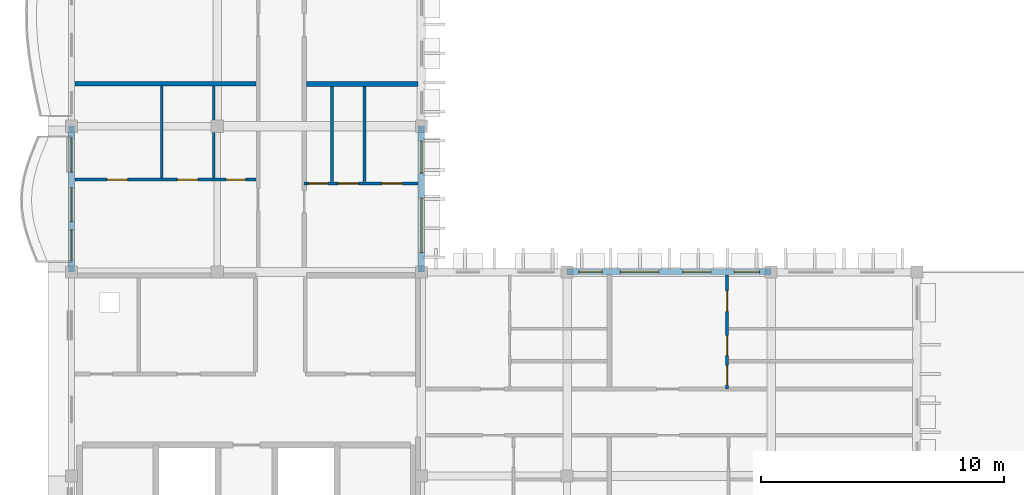
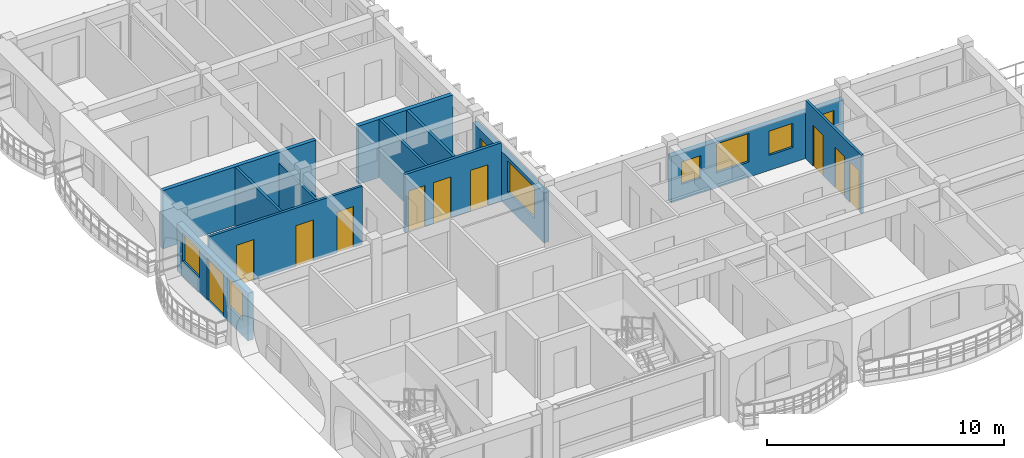
# One storey, part 14 of 59: 12 walls, 10 doors, 8 windows, 18 openings.
"""IFC4 building model written with IfcOpenShell, lengths in metres."""

from ifc_helpers import new_model, si_unit, direction, frame, frame_2d, origin, place, context, subcontext, project, spatial, rectangle, extrude, material, layer, layer_set, type_object, element, fill, save


model = new_model("IFC4")

# Units and contexts
model_context = context("Model", 3, precision=1e-05, world=origin(), true_north=direction((0.0, 1.0)))
body_context = subcontext(model_context, "Body", "Model", "MODEL_VIEW")
ifc_project = project(units=[si_unit("LENGTHUNIT", "METRE"), si_unit("AREAUNIT", "SQUARE_METRE"), si_unit("VOLUMEUNIT", "CUBIC_METRE"), si_unit("PLANEANGLEUNIT", "RADIAN"), si_unit("MASSUNIT", "GRAM", prefix="KILO"), si_unit("THERMODYNAMICTEMPERATUREUNIT", "KELVIN")], contexts=[model_context])

# Site, building, storey
site_placement = place(None, origin())
site = spatial("IfcSite", under=ifc_project, at=site_placement, CompositionType="ELEMENT")
building_placement = place(site_placement, origin())
building = spatial("IfcBuilding", under=site, at=building_placement, Name="Thalorik Housing Commons", CompositionType="ELEMENT")
storey_placement = place(building_placement, frame((0.0, 0.0, 27.89990234375)))
storey = spatial("IfcBuildingStorey", under=building, at=storey_placement, Name="L08", CompositionType="ELEMENT", Elevation=27.89990234375)

# Wall, openings, windows
ifc_material_1 = material(Name="White precast concrete C40/50", Category="concrete")
ifc_layer_1 = layer(ifc_material_1, 0.264892578125, Name="White precast concrete C40/50", Category="concrete")
ifc_layer_set_1 = layer_set([ifc_layer_1], Name="White precast concrete C40/50")
wall_type_1 = type_object("IfcWallType", Name="ARC-WAL-EXT-265", PredefinedType="STANDARD", material=ifc_layer_set_1)
wall_1_placement = place(storey_placement, frame((22.800048828125, 22.800048828125, 0.0), z_axis=(0.0, 0.0, 1.0), x_axis=(0.0, 1.0, 0.0)))
wall_1 = element("IfcWall", 1, at=wall_1_placement, inside=storey, type_object=wall_type_1, Name="L08 Exterior Wall WAL-EXT-L08-C-1045", PredefinedType="STANDARD", context=body_context, shape_type="SweptSolid", body=[
    extrude(rectangle(XDim=6.0, YDim=0.264892578125, at=frame_2d((3.0, 0.0))), origin(), (0.0, 0.0, 1.0), 2.5751953125),
])
opening_1_placement = place(wall_1_placement, frame((0.791259765625, 0.0, 0.780029296875)))
opening_1 = element("IfcOpeningElement", 2, at=opening_1_placement, cuts=wall_1, Name="Opening W-31", PredefinedType="OPENING", context=body_context, shape_type="SweptSolid", body=[
    extrude(rectangle(XDim=2.25, YDim=1.60009765625, at=frame_2d((1.125, 0.800048828125))), frame((0.0, 0.142578125, 0.0), z_axis=(0.0, -1.0, 0.0), x_axis=(1.0, 0.0, 0.0)), (0.0, 0.0, 1.0), 0.284912109375),
])
opening_2_placement = place(wall_1_placement, frame((4.066162109375, 0.0, 0.780029296875)))
opening_2 = element("IfcOpeningElement", 3, at=opening_2_placement, cuts=wall_1, Name="Opening W-48", PredefinedType="OPENING", context=body_context, shape_type="SweptSolid", body=[
    extrude(rectangle(XDim=1.320068359375, YDim=1.35009765625, at=frame_2d((0.66015625, 0.675048828125))), frame((0.0, 0.142578125, 0.0), z_axis=(0.0, -1.0, 0.0), x_axis=(1.0, 0.0, 0.0)), (0.0, 0.0, 1.0), 0.284912109375),
])
ifc_material_2 = material(Name="Anodised aluminium and solar-control low-E glass", Category="aluminium")
window_type_1 = type_object("IfcWindowType", Name="ARC-WIN-31", PartitioningType="DOUBLE_PANEL_VERTICAL", PredefinedType="WINDOW", material=ifc_material_2)
window_1_placement = place(opening_1_placement, origin())
window_1 = element("IfcWindow", 4, at=window_1_placement, inside=storey, type_object=window_type_1, Name="L08 Facade Window 1928", OverallHeight=1.60009765625, OverallWidth=2.25, PartitioningType="DOUBLE_PANEL_VERTICAL", PredefinedType="WINDOW", context=body_context, shape_type="SweptSolid", body=[
    extrude(rectangle(XDim=2.25, YDim=1.60009765625, at=frame_2d((1.125, 0.800048828125))), frame((0.0, 0.030029296875, 0.0), z_axis=(0.0, -1.0, 0.0), x_axis=(1.0, 0.0, 0.0)), (0.0, 0.0, 1.0), 0.06005859375),
])
fill(opening_1, window_1)
window_type_2 = type_object("IfcWindowType", Name="ARC-WIN-48", PartitioningType="SINGLE_PANEL", PredefinedType="WINDOW", material=ifc_material_2)
window_2_placement = place(opening_2_placement, origin())
window_2 = element("IfcWindow", 5, at=window_2_placement, inside=storey, type_object=window_type_2, Name="L08 Facade Window 1929", OverallHeight=1.35009765625, OverallWidth=1.320068359375, PartitioningType="SINGLE_PANEL", PredefinedType="WINDOW", context=body_context, shape_type="SweptSolid", body=[
    extrude(rectangle(XDim=1.320068359375, YDim=1.35009765625, at=frame_2d((0.66015625, 0.675048828125))), frame((0.0, 0.030029296875, 0.0), z_axis=(0.0, -1.0, 0.0), x_axis=(1.0, 0.0, 0.0)), (0.0, 0.0, 1.0), 0.06005859375),
])
fill(opening_2, window_2)

# Wall, openings, door, windows
wall_2_placement = place(storey_placement, frame((8.39990234375, 28.800048828125, 0.0), z_axis=(0.0, 0.0, 1.0), x_axis=(0.0, -1.0, 0.0)))
wall_2 = element("IfcWall", 6, at=wall_2_placement, inside=storey, type_object=wall_type_1, Name="L08 Exterior Wall WAL-EXT-L08-C-1052", PredefinedType="STANDARD", context=body_context, shape_type="SweptSolid", body=[
    extrude(rectangle(XDim=6.0, YDim=0.264892578125, at=frame_2d((3.0, 0.0))), origin(), (0.0, 0.0, 1.0), 2.445068359375),
])
opening_3_placement = place(wall_2_placement, frame((2.530029296875, 0.0, 0.0)))
opening_3 = element("IfcOpeningElement", 7, at=opening_3_placement, cuts=wall_2, Name="Opening ED-0352", PredefinedType="OPENING", context=body_context, shape_type="SweptSolid", body=[
    extrude(rectangle(XDim=1.39990234375, YDim=2.199951171875, at=frame_2d((0.699951171875, 1.10009765625))), frame((0.0, 0.142578125, 0.0), z_axis=(0.0, -1.0, 0.0), x_axis=(1.0, 0.0, 0.0)), (0.0, 0.0, 1.0), 0.284912109375),
])
opening_4_placement = place(wall_2_placement, frame((0.4951171875, 0.0, 0.780029296875)))
opening_4 = element("IfcOpeningElement", 8, at=opening_4_placement, cuts=wall_2, Name="Opening W-08", PredefinedType="OPENING", context=body_context, shape_type="SweptSolid", body=[
    extrude(rectangle(XDim=1.39990234375, YDim=1.449951171875, at=frame_2d((0.699951171875, 0.72509765625))), frame((0.0, 0.142578125, 0.0), z_axis=(0.0, -1.0, 0.0), x_axis=(1.0, 0.0, 0.0)), (0.0, 0.0, 1.0), 0.284912109375),
])
opening_5_placement = place(wall_2_placement, frame((4.27001953125, 0.0, 0.780029296875)))
opening_5 = element("IfcOpeningElement", 9, at=opening_5_placement, cuts=wall_2, Name="Opening W-47", PredefinedType="OPENING", context=body_context, shape_type="SweptSolid", body=[
    extrude(rectangle(XDim=1.25, YDim=1.449951171875, at=frame_2d((0.625, 0.72509765625))), frame((0.0, 0.142578125, 0.0), z_axis=(0.0, -1.0, 0.0), x_axis=(1.0, 0.0, 0.0)), (0.0, 0.0, 1.0), 0.284912109375),
])
ifc_material_3 = material(Name="Anodised aluminium and laminated safety glass", Category="aluminium")
door_type_1 = type_object("IfcDoorType", Name="ARC-DR-BAL-1400", OperationType="NOTDEFINED", PredefinedType="DOOR", material=ifc_material_3)
door_1_placement = place(opening_3_placement, frame((1.39990234375, 0.0, 0.0), z_axis=(0.0, 0.0, 1.0), x_axis=(-1.0, 0.0, 0.0)))
door_1 = element("IfcDoor", 10, at=door_1_placement, inside=storey, type_object=door_type_1, Name="L08 Block C Balcony Glazed Door", OperationType="SLIDING_TO_LEFT", OverallHeight=2.199951171875, OverallWidth=1.39990234375, PredefinedType="DOOR", context=body_context, shape_type="SweptSolid", body=[
    extrude(rectangle(XDim=1.39990234375, YDim=2.199951171875, at=frame_2d((0.699951171875, 1.10009765625))), frame((0.0, 0.02490234375, 0.0), z_axis=(0.0, -1.0, 0.0), x_axis=(1.0, 0.0, 0.0)), (0.0, 0.0, 1.0), 0.050048828125),
])
fill(opening_3, door_1)
window_type_3 = type_object("IfcWindowType", Name="ARC-WIN-08", PartitioningType="SINGLE_PANEL", PredefinedType="WINDOW", material=ifc_material_2)
window_3_placement = place(opening_4_placement, origin())
window_3 = element("IfcWindow", 11, at=window_3_placement, inside=storey, type_object=window_type_3, Name="L08 Facade Window 1944", OverallHeight=1.449951171875, OverallWidth=1.39990234375, PartitioningType="SINGLE_PANEL", PredefinedType="WINDOW", context=body_context, shape_type="SweptSolid", body=[
    extrude(rectangle(XDim=1.39990234375, YDim=1.449951171875, at=frame_2d((0.699951171875, 0.72509765625))), frame((0.0, 0.030029296875, 0.0), z_axis=(0.0, -1.0, 0.0), x_axis=(1.0, 0.0, 0.0)), (0.0, 0.0, 1.0), 0.06005859375),
])
fill(opening_4, window_3)
window_type_4 = type_object("IfcWindowType", Name="ARC-WIN-47", PartitioningType="SINGLE_PANEL", PredefinedType="WINDOW", material=ifc_material_2)
window_4_placement = place(opening_5_placement, origin())
window_4 = element("IfcWindow", 12, at=window_4_placement, inside=storey, type_object=window_type_4, Name="L08 Facade Window 1945", OverallHeight=1.449951171875, OverallWidth=1.25, PartitioningType="SINGLE_PANEL", PredefinedType="WINDOW", context=body_context, shape_type="SweptSolid", body=[
    extrude(rectangle(XDim=1.25, YDim=1.449951171875, at=frame_2d((0.625, 0.72509765625))), frame((0.0, 0.030029296875, 0.0), z_axis=(0.0, -1.0, 0.0), x_axis=(1.0, 0.0, 0.0)), (0.0, 0.0, 1.0), 0.06005859375),
])
fill(opening_5, window_4)

# Wall, openings, windows
wall_3_placement = place(storey_placement, frame((37.199951171875, 22.800048828125, 0.0), z_axis=(0.0, 0.0, 1.0), x_axis=(-1.0, 0.0, 0.0)))
wall_3 = element("IfcWall", 13, at=wall_3_placement, inside=storey, type_object=wall_type_1, Name="L08 Exterior Wall WAL-EXT-L08-C-1063", PredefinedType="STANDARD", context=body_context, shape_type="SweptSolid", body=[
    extrude(rectangle(XDim=8.39990234375, YDim=0.264892578125, at=frame_2d((4.199951171875, 0.0))), origin(), (0.0, 0.0, 1.0), 2.375),
])
opening_6_placement = place(wall_3_placement, frame((0.47607421875, 0.0, 0.780029296875)))
opening_6 = element("IfcOpeningElement", 14, at=opening_6_placement, cuts=wall_3, Name="Opening W-44", PredefinedType="OPENING", context=body_context, shape_type="SweptSolid", body=[
    extrude(rectangle(XDim=1.050048828125, YDim=1.199951171875, at=frame_2d((0.52490234375, 0.60009765625))), frame((0.0, 0.142578125, 0.0), z_axis=(0.0, -1.0, 0.0), x_axis=(1.0, 0.0, 0.0)), (0.0, 0.0, 1.0), 0.284912109375),
])
opening_7_placement = place(wall_3_placement, frame((2.48388671875, 0.0, 0.780029296875)))
opening_7 = element("IfcOpeningElement", 15, at=opening_7_placement, cuts=wall_3, Name="Opening W-45", PredefinedType="OPENING", context=body_context, shape_type="SweptSolid", body=[
    extrude(rectangle(XDim=1.14990234375, YDim=1.25, at=frame_2d((0.574951171875, 0.625))), frame((0.0, 0.142578125, 0.0), z_axis=(0.0, -1.0, 0.0), x_axis=(1.0, 0.0, 0.0)), (0.0, 0.0, 1.0), 0.284912109375),
])
opening_8_placement = place(wall_3_placement, frame((4.623046875, 0.0, 0.780029296875)))
opening_8 = element("IfcOpeningElement", 16, at=opening_8_placement, cuts=wall_3, Name="Opening W-53", PredefinedType="OPENING", context=body_context, shape_type="SweptSolid", body=[
    extrude(rectangle(XDim=1.580078125, YDim=1.47998046875, at=frame_2d((0.7900390625, 0.739990234375))), frame((0.0, 0.142578125, 0.0), z_axis=(0.0, -1.0, 0.0), x_axis=(1.0, 0.0, 0.0)), (0.0, 0.0, 1.0), 0.284912109375),
])
opening_9_placement = place(wall_3_placement, frame((6.9599609375, 0.0, 0.780029296875)))
opening_9 = element("IfcOpeningElement", 17, at=opening_9_placement, cuts=wall_3, Name="Opening W-43", PredefinedType="OPENING", context=body_context, shape_type="SweptSolid", body=[
    extrude(rectangle(XDim=0.949951171875, YDim=1.14990234375, at=frame_2d((0.47509765625, 0.574951171875))), frame((0.0, 0.142578125, 0.0), z_axis=(0.0, -1.0, 0.0), x_axis=(1.0, 0.0, 0.0)), (0.0, 0.0, 1.0), 0.284912109375),
])
window_type_5 = type_object("IfcWindowType", Name="ARC-WIN-43", PartitioningType="SINGLE_PANEL", PredefinedType="WINDOW", material=ifc_material_2)
window_5_placement = place(opening_9_placement, origin())
window_5 = element("IfcWindow", 18, at=window_5_placement, inside=storey, type_object=window_type_5, Name="L08 Facade Window 1965", OverallHeight=1.14990234375, OverallWidth=0.949951171875, PartitioningType="SINGLE_PANEL", PredefinedType="WINDOW", context=body_context, shape_type="SweptSolid", body=[
    extrude(rectangle(XDim=0.949951171875, YDim=1.14990234375, at=frame_2d((0.47509765625, 0.574951171875))), frame((0.0, 0.030029296875, 0.0), z_axis=(0.0, -1.0, 0.0), x_axis=(1.0, 0.0, 0.0)), (0.0, 0.0, 1.0), 0.06005859375),
])
fill(opening_9, window_5)
window_type_6 = type_object("IfcWindowType", Name="ARC-WIN-44", PartitioningType="SINGLE_PANEL", PredefinedType="WINDOW", material=ifc_material_2)
window_6_placement = place(opening_6_placement, origin())
window_6 = element("IfcWindow", 19, at=window_6_placement, inside=storey, type_object=window_type_6, Name="L08 Facade Window 1962", OverallHeight=1.199951171875, OverallWidth=1.050048828125, PartitioningType="SINGLE_PANEL", PredefinedType="WINDOW", context=body_context, shape_type="SweptSolid", body=[
    extrude(rectangle(XDim=1.050048828125, YDim=1.199951171875, at=frame_2d((0.52490234375, 0.60009765625))), frame((0.0, 0.030029296875, 0.0), z_axis=(0.0, -1.0, 0.0), x_axis=(1.0, 0.0, 0.0)), (0.0, 0.0, 1.0), 0.06005859375),
])
fill(opening_6, window_6)
window_type_7 = type_object("IfcWindowType", Name="ARC-WIN-45", PartitioningType="SINGLE_PANEL", PredefinedType="WINDOW", material=ifc_material_2)
window_7_placement = place(opening_7_placement, origin())
window_7 = element("IfcWindow", 20, at=window_7_placement, inside=storey, type_object=window_type_7, Name="L08 Facade Window 1963", OverallHeight=1.25, OverallWidth=1.14990234375, PartitioningType="SINGLE_PANEL", PredefinedType="WINDOW", context=body_context, shape_type="SweptSolid", body=[
    extrude(rectangle(XDim=1.14990234375, YDim=1.25, at=frame_2d((0.574951171875, 0.625))), frame((0.0, 0.030029296875, 0.0), z_axis=(0.0, -1.0, 0.0), x_axis=(1.0, 0.0, 0.0)), (0.0, 0.0, 1.0), 0.06005859375),
])
fill(opening_7, window_7)
window_type_8 = type_object("IfcWindowType", Name="ARC-WIN-53", PartitioningType="SINGLE_PANEL", PredefinedType="WINDOW", material=ifc_material_2)
window_8_placement = place(opening_8_placement, origin())
window_8 = element("IfcWindow", 21, at=window_8_placement, inside=storey, type_object=window_type_8, Name="L08 Facade Window 1964", OverallHeight=1.47998046875, OverallWidth=1.580078125, PartitioningType="SINGLE_PANEL", PredefinedType="WINDOW", context=body_context, shape_type="SweptSolid", body=[
    extrude(rectangle(XDim=1.580078125, YDim=1.47998046875, at=frame_2d((0.7900390625, 0.739990234375))), frame((0.0, 0.030029296875, 0.0), z_axis=(0.0, -1.0, 0.0), x_axis=(1.0, 0.0, 0.0)), (0.0, 0.0, 1.0), 0.06005859375),
])
fill(opening_8, window_8)

# Walls
ifc_material_4 = material(Name="Gypsum light stud partition", Category="masonry")
ifc_layer_2 = layer(ifc_material_4, 0.10009765625, Name="Gypsum light stud partition", Category="masonry")
ifc_layer_set_2 = layer_set([ifc_layer_2], Name="Gypsum light stud partition")
wall_type_2 = type_object("IfcWallType", Name="ARC-WAL-PART-100", PredefinedType="PARTITIONING", material=ifc_layer_set_2)
wall_4_placement = place(storey_placement, frame((14.251220703125, 26.66455078125, 0.0), z_axis=(0.0, 0.0, 1.0), x_axis=(0.0, 1.0, 0.0)))
element("IfcWall", 22, at=wall_4_placement, inside=storey, type_object=wall_type_2, Name="L08 Unit 1 Wet Wall", PredefinedType="PARTITIONING", context=body_context, shape_type="SweptSolid", body=[
    extrude(rectangle(XDim=3.781005859375, YDim=0.10009765625, at=frame_2d((1.890625, 0.0))), origin(), (0.0, 0.0, 1.0), 2.425048828125),
])
ifc_material_5 = material(Name="Gypsum moisture-resistant partition", Category="masonry")
ifc_layer_3 = layer(ifc_material_5, 0.114990234375, Name="Gypsum moisture-resistant partition", Category="masonry")
ifc_layer_set_3 = layer_set([ifc_layer_3], Name="Gypsum moisture-resistant partition")
wall_type_3 = type_object("IfcWallType", Name="ARC-WAL-PART-115", PredefinedType="PARTITIONING", material=ifc_layer_set_3)
wall_5_placement = place(storey_placement, frame((12.11767578125, 26.66455078125, 0.0), z_axis=(0.0, 0.0, 1.0), x_axis=(0.0, 1.0, 0.0)))
element("IfcWall", 23, at=wall_5_placement, inside=storey, type_object=wall_type_3, Name="L08 Unit 1 Bedroom Partition", PredefinedType="PARTITIONING", context=body_context, shape_type="SweptSolid", body=[
    extrude(rectangle(XDim=3.781005859375, YDim=0.114990234375, at=frame_2d((1.890625, 0.0))), origin(), (0.0, 0.0, 1.0), 3.0),
])
wall_6_placement = place(storey_placement, frame((19.122314453125, 26.514404296875, 0.0), z_axis=(0.0, 0.0, 1.0), x_axis=(0.0, 1.0, 0.0)))
element("IfcWall", 24, at=wall_6_placement, inside=storey, type_object=wall_type_3, Name="L08 Unit 1B Wet Wall", PredefinedType="PARTITIONING", context=body_context, shape_type="SweptSolid", body=[
    extrude(rectangle(XDim=3.923583984375, YDim=0.114990234375, at=frame_2d((1.9619140625, 0.0))), origin(), (0.0, 0.0, 1.0), 3.0),
])

# Wall, openings, doors
wall_7_placement = place(storey_placement, frame((35.387939453125, 17.97998046875, 0.0), z_axis=(0.0, 0.0, 1.0), x_axis=(0.0, 1.0, 0.0)))
wall_7 = element("IfcWall", 25, at=wall_7_placement, inside=storey, type_object=wall_type_3, Name="L08 Unit 2B Spine Partition", PredefinedType="PARTITIONING", context=body_context, shape_type="SweptSolid", body=[
    extrude(rectangle(XDim=4.685546875, YDim=0.114990234375, at=frame_2d((2.3427734375, 0.0))), origin(), (0.0, 0.0, 1.0), 3.0),
])
opening_10_placement = place(wall_7_placement, frame((0.171142578125, 0.0, 0.0)))
opening_10 = element("IfcOpeningElement", 26, at=opening_10_placement, cuts=wall_7, Name="Opening ID-1915", PredefinedType="OPENING", context=body_context, shape_type="SweptSolid", body=[
    extrude(rectangle(XDim=0.800048828125, YDim=2.10009765625, at=frame_2d((0.39990234375, 1.050048828125))), frame((0.0, 0.0673828125, 0.0), z_axis=(0.0, -1.0, 0.0), x_axis=(1.0, 0.0, 0.0)), (0.0, 0.0, 1.0), 0.135009765625),
])
opening_11_placement = place(wall_7_placement, frame((1.3837890625, 0.0, 0.0)))
opening_11 = element("IfcOpeningElement", 27, at=opening_11_placement, cuts=wall_7, Name="Opening ID-1916", PredefinedType="OPENING", context=body_context, shape_type="SweptSolid", body=[
    extrude(rectangle(XDim=0.820068359375, YDim=2.080078125, at=frame_2d((0.41015625, 1.0400390625))), frame((0.0, 0.0673828125, 0.0), z_axis=(0.0, -1.0, 0.0), x_axis=(1.0, 0.0, 0.0)), (0.0, 0.0, 1.0), 0.135009765625),
])
opening_12_placement = place(wall_7_placement, frame((3.192626953125, 0.0, 0.0)))
opening_12 = element("IfcOpeningElement", 28, at=opening_12_placement, cuts=wall_7, Name="Opening ID-1917", PredefinedType="OPENING", context=body_context, shape_type="SweptSolid", body=[
    extrude(rectangle(XDim=0.85009765625, YDim=2.10009765625, at=frame_2d((0.425048828125, 1.050048828125))), frame((0.0, 0.0673828125, 0.0), z_axis=(0.0, -1.0, 0.0), x_axis=(1.0, 0.0, 0.0)), (0.0, 0.0, 1.0), 0.135009765625),
])
ifc_material_6 = material(Name="Moisture-resistant timber", Category="wood")
door_type_2 = type_object("IfcDoorType", Name="ARC-DR-INT-800", OperationType="NOTDEFINED", PredefinedType="DOOR", material=ifc_material_6)
door_2_placement = place(opening_10_placement, origin())
door_2 = element("IfcDoor", 29, at=door_2_placement, inside=storey, type_object=door_type_2, Name="L08 Flat Bathroom Door", OperationType="SINGLE_SWING_RIGHT", OverallHeight=2.10009765625, OverallWidth=0.800048828125, PredefinedType="DOOR", context=body_context, shape_type="SweptSolid", body=[
    extrude(rectangle(XDim=0.800048828125, YDim=2.10009765625, at=frame_2d((0.39990234375, 1.050048828125))), frame((0.0, 0.02490234375, 0.0), z_axis=(0.0, -1.0, 0.0), x_axis=(1.0, 0.0, 0.0)), (0.0, 0.0, 1.0), 0.050048828125),
])
fill(opening_10, door_2)
ifc_material_7 = material(Name="Engineered oak timber", Category="wood")
door_type_3 = type_object("IfcDoorType", Name="ARC-DR-INT-820", OperationType="NOTDEFINED", PredefinedType="DOOR", material=ifc_material_7)
door_3_placement = place(opening_11_placement, origin())
door_3 = element("IfcDoor", 30, at=door_3_placement, inside=storey, type_object=door_type_3, Name="L08 Galley Kitchen Door", OperationType="SINGLE_SWING_LEFT", OverallHeight=2.080078125, OverallWidth=0.820068359375, PredefinedType="DOOR", context=body_context, shape_type="SweptSolid", body=[
    extrude(rectangle(XDim=0.820068359375, YDim=2.080078125, at=frame_2d((0.41015625, 1.0400390625))), frame((0.0, 0.02490234375, 0.0), z_axis=(0.0, -1.0, 0.0), x_axis=(1.0, 0.0, 0.0)), (0.0, 0.0, 1.0), 0.050048828125),
])
fill(opening_11, door_3)
door_type_4 = type_object("IfcDoorType", Name="ARC-DR-INT-850", OperationType="NOTDEFINED", PredefinedType="DOOR", material=ifc_material_7)
door_4_placement = place(opening_12_placement, origin())
door_4 = element("IfcDoor", 31, at=door_4_placement, inside=storey, type_object=door_type_4, Name="L08 Double Bedroom Door", OperationType="SINGLE_SWING_RIGHT", OverallHeight=2.10009765625, OverallWidth=0.85009765625, PredefinedType="DOOR", context=body_context, shape_type="SweptSolid", body=[
    extrude(rectangle(XDim=0.85009765625, YDim=2.10009765625, at=frame_2d((0.425048828125, 1.050048828125))), frame((0.0, 0.02490234375, 0.0), z_axis=(0.0, -1.0, 0.0), x_axis=(1.0, 0.0, 0.0)), (0.0, 0.0, 1.0), 0.050048828125),
])
fill(opening_12, door_4)

ifc_material_8 = material(Name="Gypsum acoustic stud partition", Category="masonry")
ifc_layer_4 = layer(ifc_material_8, 0.125, Name="Gypsum acoustic stud partition", Category="masonry")
ifc_layer_set_4 = layer_set([ifc_layer_4], Name="Gypsum acoustic stud partition")
wall_type_4 = type_object("IfcWallType", Name="ARC-WAL-PART-125", PredefinedType="PARTITIONING", material=ifc_layer_set_4)
wall_8_placement = place(storey_placement, frame((8.534423828125, 26.60009765625, 0.0), z_axis=(0.0, 0.0, 1.0), x_axis=(1.0, 0.0, 0.0)))
wall_8 = element("IfcWall", 32, at=wall_8_placement, inside=storey, type_object=wall_type_4, Name="L08 Unit 1 Spine Partition", PredefinedType="PARTITIONING", context=body_context, shape_type="SweptSolid", body=[
    extrude(rectangle(XDim=7.468505859375, YDim=0.125, at=frame_2d((3.734375, 0.0))), origin(), (0.0, 0.0, 1.0), 3.0),
])
opening_13_placement = place(wall_8_placement, frame((1.329345703125, 0.0, 0.0)))
opening_13 = element("IfcOpeningElement", 33, at=opening_13_placement, cuts=wall_8, Name="Opening ID-1890", PredefinedType="OPENING", context=body_context, shape_type="SweptSolid", body=[
    extrude(rectangle(XDim=0.85009765625, YDim=2.10009765625, at=frame_2d((0.425048828125, 1.050048828125))), frame((0.0, 0.072509765625, 0.0), z_axis=(0.0, -1.0, 0.0), x_axis=(1.0, 0.0, 0.0)), (0.0, 0.0, 1.0), 0.14501953125),
])
opening_14_placement = place(wall_8_placement, frame((4.224853515625, 0.0, 0.0)))
opening_14 = element("IfcOpeningElement", 34, at=opening_14_placement, cuts=wall_8, Name="Opening ID-1891", PredefinedType="OPENING", context=body_context, shape_type="SweptSolid", body=[
    extrude(rectangle(XDim=0.85009765625, YDim=2.10009765625, at=frame_2d((0.425048828125, 1.050048828125))), frame((0.0, 0.072509765625, 0.0), z_axis=(0.0, -1.0, 0.0), x_axis=(1.0, 0.0, 0.0)), (0.0, 0.0, 1.0), 0.14501953125),
])
opening_15_placement = place(wall_8_placement, frame((6.231201171875, 0.0, 0.0)))
opening_15 = element("IfcOpeningElement", 35, at=opening_15_placement, cuts=wall_8, Name="Opening ID-1892", PredefinedType="OPENING", context=body_context, shape_type="SweptSolid", body=[
    extrude(rectangle(XDim=0.800048828125, YDim=2.10009765625, at=frame_2d((0.39990234375, 1.050048828125))), frame((0.0, 0.072509765625, 0.0), z_axis=(0.0, -1.0, 0.0), x_axis=(1.0, 0.0, 0.0)), (0.0, 0.0, 1.0), 0.14501953125),
])
door_5_placement = place(opening_15_placement, origin())
door_5 = element("IfcDoor", 36, at=door_5_placement, inside=storey, type_object=door_type_2, Name="L08 Flat Bathroom Door", OperationType="SINGLE_SWING_LEFT", OverallHeight=2.10009765625, OverallWidth=0.800048828125, PredefinedType="DOOR", context=body_context, shape_type="SweptSolid", body=[
    extrude(rectangle(XDim=0.800048828125, YDim=2.10009765625, at=frame_2d((0.39990234375, 1.050048828125))), frame((0.0, 0.02490234375, 0.0), z_axis=(0.0, -1.0, 0.0), x_axis=(1.0, 0.0, 0.0)), (0.0, 0.0, 1.0), 0.050048828125),
])
fill(opening_15, door_5)
door_6_placement = place(opening_13_placement, origin())
door_6 = element("IfcDoor", 37, at=door_6_placement, inside=storey, type_object=door_type_4, Name="L08 Double Bedroom Door", OperationType="SINGLE_SWING_LEFT", OverallHeight=2.10009765625, OverallWidth=0.85009765625, PredefinedType="DOOR", context=body_context, shape_type="SweptSolid", body=[
    extrude(rectangle(XDim=0.85009765625, YDim=2.10009765625, at=frame_2d((0.425048828125, 1.050048828125))), frame((0.0, 0.02490234375, 0.0), z_axis=(0.0, -1.0, 0.0), x_axis=(1.0, 0.0, 0.0)), (0.0, 0.0, 1.0), 0.050048828125),
])
fill(opening_13, door_6)
door_7_placement = place(opening_14_placement, origin())
door_7 = element("IfcDoor", 38, at=door_7_placement, inside=storey, type_object=door_type_4, Name="L08 Galley Kitchen Door", OperationType="SINGLE_SWING_RIGHT", OverallHeight=2.10009765625, OverallWidth=0.85009765625, PredefinedType="DOOR", context=body_context, shape_type="SweptSolid", body=[
    extrude(rectangle(XDim=0.85009765625, YDim=2.10009765625, at=frame_2d((0.425048828125, 1.050048828125))), frame((0.0, 0.02490234375, 0.0), z_axis=(0.0, -1.0, 0.0), x_axis=(1.0, 0.0, 0.0)), (0.0, 0.0, 1.0), 0.050048828125),
])
fill(opening_14, door_7)

# Wall
wall_9_placement = place(storey_placement, frame((20.455078125, 26.514404296875, 0.0), z_axis=(0.0, 0.0, 1.0), x_axis=(0.0, 1.0, 0.0)))
element("IfcWall", 39, at=wall_9_placement, inside=storey, type_object=wall_type_4, Name="L08 Unit 1B Bedroom Partition", PredefinedType="PARTITIONING", context=body_context, shape_type="SweptSolid", body=[
    extrude(rectangle(XDim=3.923583984375, YDim=0.125, at=frame_2d((1.9619140625, 0.0))), origin(), (0.0, 0.0, 1.0), 3.0),
])

# Wall, openings, doors
ifc_material_9 = material(Name="Ceramic masonry partition wall", Category="masonry")
ifc_layer_5 = layer(ifc_material_9, 0.139892578125, Name="Ceramic masonry partition wall", Category="masonry")
ifc_layer_set_5 = layer_set([ifc_layer_5], Name="Ceramic masonry partition wall")
wall_type_5 = type_object("IfcWallType", Name="ARC-WAL-PART-140", PredefinedType="PARTITIONING", material=ifc_layer_set_5)
wall_10_placement = place(storey_placement, frame((17.97998046875, 26.4423828125, 0.0), z_axis=(0.0, 0.0, 1.0), x_axis=(1.0, 0.0, 0.0)))
wall_10 = element("IfcWall", 40, at=wall_10_placement, inside=storey, type_object=wall_type_5, Name="L08 Unit 1B Spine Partition", PredefinedType="PARTITIONING", context=body_context, shape_type="SweptSolid", body=[
    extrude(rectangle(XDim=4.685546875, YDim=0.139892578125, at=frame_2d((2.3427734375, 0.0))), origin(), (0.0, 0.0, 1.0), 3.0),
])
opening_16_placement = place(wall_10_placement, frame((0.171142578125, 0.0, 0.0)))
opening_16 = element("IfcOpeningElement", 41, at=opening_16_placement, cuts=wall_10, Name="Opening ID-1893", PredefinedType="OPENING", context=body_context, shape_type="SweptSolid", body=[
    extrude(rectangle(XDim=0.800048828125, YDim=2.10009765625, at=frame_2d((0.39990234375, 1.050048828125))), frame((0.0, 0.080078125, 0.0), z_axis=(0.0, -1.0, 0.0), x_axis=(1.0, 0.0, 0.0)), (0.0, 0.0, 1.0), 0.159912109375),
])
opening_17_placement = place(wall_10_placement, frame((1.3837890625, 0.0, 0.0)))
opening_17 = element("IfcOpeningElement", 42, at=opening_17_placement, cuts=wall_10, Name="Opening ID-1894", PredefinedType="OPENING", context=body_context, shape_type="SweptSolid", body=[
    extrude(rectangle(XDim=0.85009765625, YDim=2.10009765625, at=frame_2d((0.425048828125, 1.050048828125))), frame((0.0, 0.080078125, 0.0), z_axis=(0.0, -1.0, 0.0), x_axis=(1.0, 0.0, 0.0)), (0.0, 0.0, 1.0), 0.159912109375),
])
opening_18_placement = place(wall_10_placement, frame((3.192626953125, 0.0, 0.0)))
opening_18 = element("IfcOpeningElement", 43, at=opening_18_placement, cuts=wall_10, Name="Opening ID-1895", PredefinedType="OPENING", context=body_context, shape_type="SweptSolid", body=[
    extrude(rectangle(XDim=0.85009765625, YDim=2.10009765625, at=frame_2d((0.425048828125, 1.050048828125))), frame((0.0, 0.080078125, 0.0), z_axis=(0.0, -1.0, 0.0), x_axis=(1.0, 0.0, 0.0)), (0.0, 0.0, 1.0), 0.159912109375),
])
door_8_placement = place(opening_16_placement, origin())
door_8 = element("IfcDoor", 44, at=door_8_placement, inside=storey, type_object=door_type_2, Name="L08 Flat Bathroom Door", OperationType="SINGLE_SWING_RIGHT", OverallHeight=2.10009765625, OverallWidth=0.800048828125, PredefinedType="DOOR", context=body_context, shape_type="SweptSolid", body=[
    extrude(rectangle(XDim=0.800048828125, YDim=2.10009765625, at=frame_2d((0.39990234375, 1.050048828125))), frame((0.0, 0.02490234375, 0.0), z_axis=(0.0, -1.0, 0.0), x_axis=(1.0, 0.0, 0.0)), (0.0, 0.0, 1.0), 0.050048828125),
])
fill(opening_16, door_8)
door_9_placement = place(opening_17_placement, origin())
door_9 = element("IfcDoor", 45, at=door_9_placement, inside=storey, type_object=door_type_4, Name="L08 Eat-In Kitchen Door", OperationType="SINGLE_SWING_LEFT", OverallHeight=2.10009765625, OverallWidth=0.85009765625, PredefinedType="DOOR", context=body_context, shape_type="SweptSolid", body=[
    extrude(rectangle(XDim=0.85009765625, YDim=2.10009765625, at=frame_2d((0.425048828125, 1.050048828125))), frame((0.0, 0.02490234375, 0.0), z_axis=(0.0, -1.0, 0.0), x_axis=(1.0, 0.0, 0.0)), (0.0, 0.0, 1.0), 0.050048828125),
])
fill(opening_17, door_9)
door_10_placement = place(opening_18_placement, origin())
door_10 = element("IfcDoor", 46, at=door_10_placement, inside=storey, type_object=door_type_4, Name="L08 Master Bedroom Door", OperationType="SINGLE_SWING_RIGHT", OverallHeight=2.10009765625, OverallWidth=0.85009765625, PredefinedType="DOOR", context=body_context, shape_type="SweptSolid", body=[
    extrude(rectangle(XDim=0.85009765625, YDim=2.10009765625, at=frame_2d((0.425048828125, 1.050048828125))), frame((0.0, 0.02490234375, 0.0), z_axis=(0.0, -1.0, 0.0), x_axis=(1.0, 0.0, 0.0)), (0.0, 0.0, 1.0), 0.050048828125),
])
fill(opening_18, door_10)

# Walls
ifc_material_10 = material(Name="Masonry acoustic blockwork wall", Category="masonry")
ifc_layer_6 = layer(ifc_material_10, 0.18505859375, Name="Masonry acoustic blockwork wall", Category="masonry")
ifc_layer_set_6 = layer_set([ifc_layer_6], Name="Masonry acoustic blockwork wall")
wall_type_6 = type_object("IfcWallType", Name="ARC-WAL-PARTY-185", PredefinedType="PARTITIONING", material=ifc_layer_set_6)
wall_11_placement = place(storey_placement, frame((8.534423828125, 30.5400390625, 0.0), z_axis=(0.0, 0.0, 1.0), x_axis=(1.0, 0.0, 0.0)))
element("IfcWall", 47, at=wall_11_placement, inside=storey, type_object=wall_type_6, Name="L08 Inter-Tenancy Wall 1A", PredefinedType="PARTITIONING", context=body_context, shape_type="SweptSolid", body=[
    extrude(rectangle(XDim=7.468505859375, YDim=0.18505859375, at=frame_2d((3.734375, 0.0))), origin(), (0.0, 0.0, 1.0), 3.0),
])
ifc_material_11 = material(Name="Precast concrete C40/50 acoustic wall", Category="concrete")
ifc_layer_7 = layer(ifc_material_11, 0.199951171875, Name="Precast concrete C40/50 acoustic wall", Category="concrete")
ifc_layer_set_7 = layer_set([ifc_layer_7], Name="Precast concrete C40/50 acoustic wall")
wall_type_7 = type_object("IfcWallType", Name="ARC-WAL-PARTY-200", PredefinedType="PARTITIONING", material=ifc_layer_set_7)
wall_12_placement = place(storey_placement, frame((18.064453125, 30.5400390625, 0.0), z_axis=(0.0, 0.0, 1.0), x_axis=(1.0, 0.0, 0.0)))
element("IfcWall", 48, at=wall_12_placement, inside=storey, type_object=wall_type_7, Name="L08 Inter-Tenancy Wall 1B", PredefinedType="PARTITIONING", context=body_context, shape_type="SweptSolid", body=[
    extrude(rectangle(XDim=4.60107421875, YDim=0.199951171875, at=frame_2d((2.300537109375, 0.0))), origin(), (0.0, 0.0, 1.0), 3.0),
])

save(model, "model.ifc")
